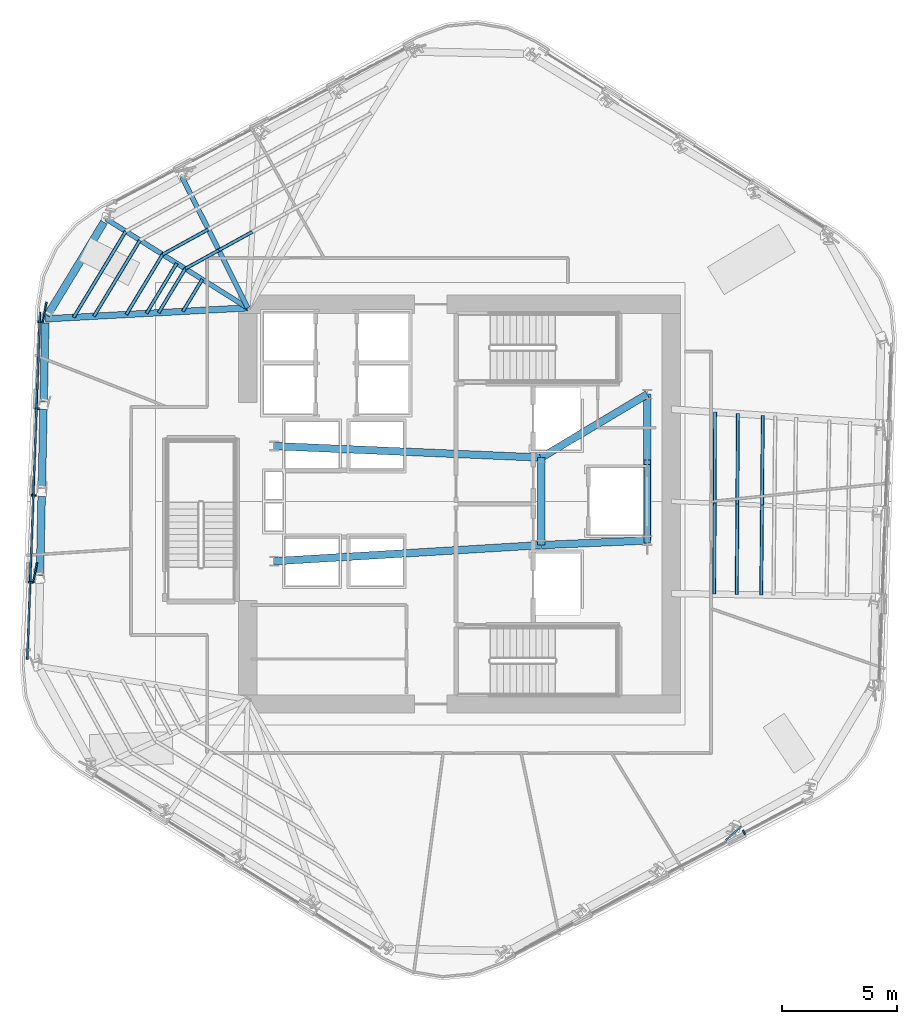
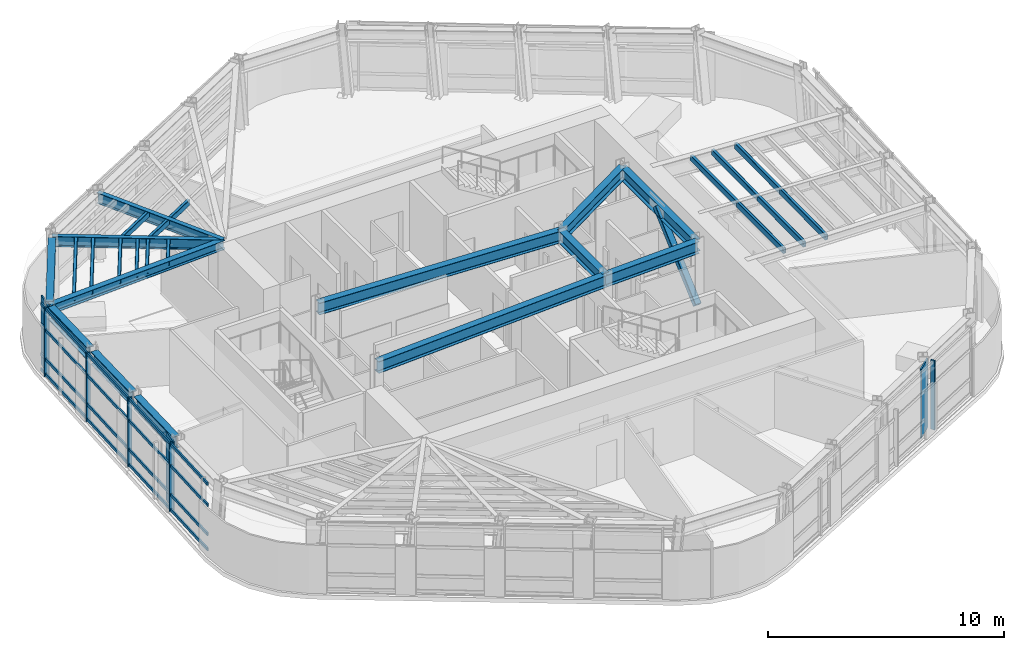
# One storey, part 3 of 14: 28 members, 13 beams, 2 elements without a shape of their own.
"""IFC4 building model written with IfcOpenShell, lengths in metres."""

import ifcopenshell
import ifcopenshell.guid

model = None  # the IFC model being written
_history = None  # IfcOwnerHistory: only IFC2X3 demands one
_inside = {}  # id of a spatial element -> (the spatial element, [elements in it])
_under = {}  # id of a project, library or spatial element -> (it, [spatial elements below it])
_declared = {}  # id of a project -> (the project, [libraries it declares])
_typed = {}  # id of a type object -> (the type object, [elements of that type])
_made_of = {}  # id of a material, layer set ... -> (it, [elements and type objects made of it])


def new_model(schema):
    """Start an empty IFC model of exactly this schema.

    Asked for "IFC4X3", IfcOpenShell would pick the latest addendum, in which some entities
    have other attributes; the version numbers below select the first issue.
    IFC2X3 requires an IfcOwnerHistory on every rooted entity: one is made here for all.
    """
    global model, _history
    if schema == "IFC4X3":
        model = ifcopenshell.file(schema_version=(4, 3, 0, 0))
    else:
        model = ifcopenshell.file(schema=schema)
    _inside.clear()
    _under.clear()
    _declared.clear()
    _typed.clear()
    _made_of.clear()
    _history = None
    if model.schema == "IFC2X3":
        org = make("IfcOrganization", Name="unknown")
        user = make(
            "IfcPersonAndOrganization",
            ThePerson=make("IfcPerson", FamilyName="unknown"),
            TheOrganization=org,
        )
        app = make(
            "IfcApplication",
            ApplicationDeveloper=org,
            Version="unknown",
            ApplicationFullName="unknown",
            ApplicationIdentifier="unknown",
        )
        _history = make(
            "IfcOwnerHistory",
            OwningUser=user,
            OwningApplication=app,
            ChangeAction="ADDED",
            CreationDate=0,
        )
    return model


def make(cls, **values):
    """One entity of the class cls with the attributes given. An attribute that is None is left unset."""
    return model.create_entity(
        cls, **{name: value for name, value in values.items() if value is not None}
    )


def rooted(cls, **values):
    """An entity with a GlobalId (a new one), such as an element, a storey or a relation."""
    return make(cls, GlobalId=ifcopenshell.guid.new(), OwnerHistory=_history, **values)


def si_unit(unit_type, name, prefix=None):
    """IfcSIUnit, for example si_unit("LENGTHUNIT", "METRE", prefix="MILLI")."""
    return make("IfcSIUnit", UnitType=unit_type, Prefix=prefix, Name=name)


def assignment(units):
    """IfcUnitAssignment: the units of a project."""
    return None if units is None else make("IfcUnitAssignment", Units=units)


def point(xyz):
    """IfcCartesianPoint."""
    return None if xyz is None else make("IfcCartesianPoint", Coordinates=xyz)


def direction(xyz):
    """IfcDirection."""
    return None if xyz is None else make("IfcDirection", DirectionRatios=xyz)


def frame(location, z_axis=None, x_axis=None):
    """IfcAxis2Placement3D, a coordinate frame: its origin and axes. An axis left out is left unset."""
    return make(
        "IfcAxis2Placement3D",
        Location=point(location),
        Axis=direction(z_axis),
        RefDirection=direction(x_axis),
    )


def frame_2d(location, x_axis=None):
    """IfcAxis2Placement2D, a coordinate frame in the plane: its origin and x axis."""
    return make(
        "IfcAxis2Placement2D", Location=point(location), RefDirection=direction(x_axis)
    )


def origin():
    """The frame at (0, 0, 0) with its axes left unset."""
    return frame((0.0, 0.0, 0.0))


def origin_2d():
    """The frame at (0, 0) in the plane with its x axis left unset."""
    return frame_2d((0.0, 0.0))


def place(relative_to, where):
    """IfcLocalPlacement: puts the frame where relative to a parent placement (None: the world)."""
    return make(
        "IfcLocalPlacement", PlacementRelTo=relative_to, RelativePlacement=where
    )


def context(
    kind, dimensions, precision=None, world=None, true_north=None, identifier=None
):
    """IfcGeometricRepresentationContext, for example the 3D "Model" context."""
    return make(
        "IfcGeometricRepresentationContext",
        ContextIdentifier=identifier,
        ContextType=kind,
        CoordinateSpaceDimension=dimensions,
        Precision=precision,
        WorldCoordinateSystem=world,
        TrueNorth=true_north,
    )


def subcontext(parent, identifier, kind, view, scale=None):
    """IfcGeometricRepresentationSubContext, for example "Body" below "Model"."""
    return make(
        "IfcGeometricRepresentationSubContext",
        ContextIdentifier=identifier,
        ContextType=kind,
        ParentContext=parent,
        TargetScale=scale,
        TargetView=view,
    )


def project(units=None, contexts=None):
    """IfcProject with its units and contexts."""
    return rooted(
        "IfcProject",
        Name="project",
        RepresentationContexts=contexts,
        UnitsInContext=assignment(units),
    )


def spatial(cls, under=None, at=None, **own):
    """A site, building, storey or space (cls), placed at a placement, below another one or the project."""
    s = rooted(cls, ObjectPlacement=at, **own)
    if under is not None:
        _under.setdefault(under.id(), (under, []))[1].append(s)
    return s


def profile(cls, at=None, kind="AREA", **sizes):
    """A parametric profile (cls). Its sizes go by their IFC names, for example OverallWidth=200.0."""
    return make(cls, ProfileType=kind, Position=at, **sizes)


def rectangle(**sizes):
    """IfcRectangleProfileDef."""
    return profile("IfcRectangleProfileDef", **sizes)


def hollow_rectangle(**sizes):
    """IfcRectangleHollowProfileDef."""
    return profile("IfcRectangleHollowProfileDef", **sizes)


def i_section(**sizes):
    """IfcIShapeProfileDef."""
    return profile("IfcIShapeProfileDef", **sizes)


def extrude(swept, where, along, depth):
    """IfcExtrudedAreaSolid: the profile swept, set in the frame where, extruded along a direction by depth."""
    return make(
        "IfcExtrudedAreaSolid",
        SweptArea=swept,
        Position=where,
        ExtrudedDirection=direction(along),
        Depth=depth,
    )


def shape(context_of_items, identifier, shape_type, items):
    """IfcShapeRepresentation: the items that make up one representation, for example the "Body"."""
    return make(
        "IfcShapeRepresentation",
        ContextOfItems=context_of_items,
        RepresentationIdentifier=identifier,
        RepresentationType=shape_type,
        Items=items,
    )


def material(Name=None, Category=None):
    """IfcMaterial."""
    return make("IfcMaterial", Name=Name, Category=Category)


def layer(
    of_material, thickness, ventilated=None, Name=None, Category=None, Priority=None
):
    """IfcMaterialLayer: one layer of a wall or slab, of a material (None: an air gap)."""
    return make(
        "IfcMaterialLayer",
        Material=of_material,
        LayerThickness=thickness,
        IsVentilated=ventilated,
        Name=Name,
        Category=Category,
        Priority=Priority,
    )


def layer_set(layers, Name=None):
    """IfcMaterialLayerSet."""
    return make("IfcMaterialLayerSet", MaterialLayers=layers, LayerSetName=Name)


def material_profile(
    of_material, cross_section, Name=None, Category=None, Priority=None
):
    """IfcMaterialProfile: a cross section and its material."""
    return make(
        "IfcMaterialProfile",
        Name=Name,
        Material=of_material,
        Profile=cross_section,
        Priority=Priority,
        Category=Category,
    )


def profile_set(profiles, Name=None, composite=None):
    """IfcMaterialProfileSet."""
    return make(
        "IfcMaterialProfileSet",
        Name=Name,
        MaterialProfiles=profiles,
        CompositeProfile=composite,
    )


def made_of(thing, what):
    """Note that an element or type object is made of a material, layer set ...; save() writes the relation."""
    if what is not None:
        _made_of.setdefault(what.id(), (what, []))[1].append(thing)
    return thing


def type_object(cls, material=None, **own):
    """A type object (cls), such as IfcWallType, which elements share."""
    return made_of(rooted(cls, **own), material)


def element(
    cls,
    number,
    at=None,
    inside=None,
    cuts=None,
    type_object=None,
    material=None,
    context=None,
    identifier="Body",
    shape_type=None,
    held_by="IfcProductDefinitionShape",
    body=None,
    shapes=None,
    **own,
):
    """One element of the class cls, such as IfcWall. Its Tag is "e" and its number.

    at: its placement. inside: the storey or other place that contains it. cuts: it is an
    opening in that element (IfcRelVoidsElement). A single representation is given by context,
    identifier, shape_type and body (its items); several are given by shapes. held_by: the class
    of the entity that holds the representations. save() writes the other relations.
    """
    e = rooted(cls, Tag="e%d" % number, ObjectPlacement=at, **own)
    if body is not None:
        shapes = [shape(context, identifier, shape_type, body)]
    if shapes is not None:
        e.Representation = make(held_by, Representations=shapes)
    if inside is not None:
        _inside.setdefault(inside.id(), (inside, []))[1].append(e)
    if cuts is not None:
        rooted(
            "IfcRelVoidsElement", RelatingBuildingElement=cuts, RelatedOpeningElement=e
        )
    if type_object is not None:
        _typed.setdefault(type_object.id(), (type_object, []))[1].append(e)
    return made_of(e, material)


def aggregate(whole, parts):
    """IfcRelAggregates: a whole, such as a stair, and the parts it consists of."""
    return rooted("IfcRelAggregates", RelatingObject=whole, RelatedObjects=parts)


def save(model, path):
    """Write the relations noted so far, then the file.

    IfcRelAggregates (storeys below a building ...), IfcRelContainedInSpatialStructure (elements
    in a storey), IfcRelDefinesByType, IfcRelAssociatesMaterial and IfcRelDeclares: one each for
    every whole, place, type object, material and project.
    """
    for whole, parts in _under.values():
        aggregate(whole, parts)
    for where, things in _inside.values():
        rooted(
            "IfcRelContainedInSpatialStructure",
            RelatedElements=things,
            RelatingStructure=where,
        )
    for kind, things in _typed.values():
        rooted("IfcRelDefinesByType", RelatedObjects=things, RelatingType=kind)
    for what, things in _made_of.values():
        rooted("IfcRelAssociatesMaterial", RelatedObjects=things, RelatingMaterial=what)
    for by, libraries in _declared.values():
        rooted("IfcRelDeclares", RelatingContext=by, RelatedDefinitions=libraries)
    model.write(path)


model = new_model("IFC4")

# Units and contexts
model_context = context("Model", 3, precision=1e-05, world=origin(), true_north=direction((0.0, 1.0)))
body_context = subcontext(model_context, "Body", "Model", "MODEL_VIEW")
ifc_project = project(units=[si_unit("LENGTHUNIT", "METRE"), si_unit("AREAUNIT", "SQUARE_METRE"), si_unit("VOLUMEUNIT", "CUBIC_METRE"), si_unit("PLANEANGLEUNIT", "RADIAN"), si_unit("MASSUNIT", "GRAM", prefix="KILO")], contexts=[model_context])

# Site, building, storey
site_placement = place(None, origin())
site = spatial("IfcSite", under=ifc_project, at=site_placement, CompositionType="ELEMENT")
building_placement = place(site_placement, origin())
building = spatial("IfcBuilding", under=site, at=building_placement, Name="Valkerne Bourse Tower", CompositionType="ELEMENT")
storey_placement = place(building_placement, frame((0.0, 0.0, 143.800048828125)))
storey = spatial("IfcBuildingStorey", under=building, at=storey_placement, Name="L36", CompositionType="ELEMENT", Elevation=143.800048828125)

# Beams
ifc_material_1 = material(Name="Steel ASTM A992", Category="steel")
ifc_material_profile_1 = material_profile(ifc_material_1, i_section(OverallWidth=0.279296875, OverallDepth=0.46240234375, WebThickness=0.0107421875, FlangeThickness=0.017333984375, FilletRadius=0.017822265625, at=origin_2d()), Name="W18X76")
ifc_profile_set_1 = profile_set([ifc_material_profile_1], Name="Steel ASTM A992")
beam_type_1 = type_object("IfcBeamType", Name="BM-W18X76", PredefinedType="BEAM", material=ifc_profile_set_1)
beam_1_placement = place(storey_placement, frame((28.818603515625, 34.92041015625, 3.3486328125), z_axis=(0.998512604544, 0.054521358818, 0.0), x_axis=(-0.054521358818, 0.998512604544, 0.0)))
element("IfcBeam", 1, at=beam_1_placement, inside=storey, type_object=beam_type_1, Name="L36 Radial Composite Floor Beam 10", PredefinedType="BEAM", context=body_context, shape_type="SweptSolid", body=[
    extrude(i_section(OverallWidth=0.279296875, OverallDepth=0.46240234375, WebThickness=0.0107421875, FlangeThickness=0.017333984375, FilletRadius=0.017822265625, at=origin_2d()), origin(), (0.0, 0.0, 1.0), 8.794677734375),
])
ifc_material_profile_2 = material_profile(ifc_material_1, i_section(OverallWidth=0.209228515625, OverallDepth=0.533447265625, WebThickness=0.01025390625, FlangeThickness=0.015625, FilletRadius=0.017822265625, at=origin_2d()), Name="W21X62")
ifc_profile_set_2 = profile_set([ifc_material_profile_2], Name="Steel ASTM A992")
beam_type_2 = type_object("IfcBeamType", Name="BM-W21X62", PredefinedType="JOIST", material=ifc_profile_set_2)
beam_2_placement = place(storey_placement, frame((31.4501953125, 39.265625, 3.313232421875), z_axis=(0.846632222578, -0.532178428436, 0.0), x_axis=(0.532178428436, 0.846632222578, 0.0)))
element("IfcBeam", 2, at=beam_2_placement, inside=storey, type_object=beam_type_2, Name="L36 Radial Composite Floor Beam 09", PredefinedType="JOIST", context=body_context, shape_type="SweptSolid", body=[
    extrude(i_section(OverallWidth=0.209228515625, OverallDepth=0.533447265625, WebThickness=0.01025390625, FlangeThickness=0.015625, FilletRadius=0.017822265625, at=origin_2d()), origin(), (0.0, 0.0, 1.0), 7.263916015625),
])
ifc_material_profile_3 = material_profile(ifc_material_1, i_section(OverallWidth=0.2138671875, OverallDepth=0.548583984375, WebThickness=0.0146484375, FlangeThickness=0.023681640625, FilletRadius=0.017822265625, at=origin_2d()), Name="W21X93")
ifc_profile_set_3 = profile_set([ifc_material_profile_3], Name="Steel ASTM A992")
beam_type_3 = type_object("IfcBeamType", Name="BM-W21X93", PredefinedType="BEAM", material=ifc_profile_set_3)
beam_3_placement = place(storey_placement, frame((34.7548828125, 41.082275390625, 3.3056640625), z_axis=(0.447720638124, -0.894173489989, 0.0), x_axis=(0.894173489989, 0.447720638124, 0.0)))
element("IfcBeam", 3, at=beam_3_placement, inside=storey, type_object=beam_type_3, Name="L36 Radial Composite Floor Beam 08", PredefinedType="BEAM", context=body_context, shape_type="SweptSolid", body=[
    extrude(i_section(OverallWidth=0.2138671875, OverallDepth=0.548583984375, WebThickness=0.0146484375, FlangeThickness=0.023681640625, FilletRadius=0.017822265625, at=origin_2d()), origin(), (0.0, 0.0, 1.0), 6.35498046875),
])
ifc_material_profile_4 = material_profile(ifc_material_1, i_section(OverallWidth=0.3251953125, OverallDepth=0.612060546875, WebThickness=0.0126953125, FlangeThickness=0.01904296875, FilletRadius=0.020263671875, at=origin_2d()), Name="W24X104")
ifc_profile_set_4 = profile_set([ifc_material_profile_4], Name="Steel ASTM A992")
beam_type_4 = type_object("IfcBeamType", Name="BM-W24X104", PredefinedType="BEAM", material=ifc_profile_set_4)
beam_4_placement = place(storey_placement, frame((50.35009765625, 25.10009765625, 3.27392578125), z_axis=(0.0, 1.0, 0.0), x_axis=(-1.0, 0.0, 0.0)))
element("IfcBeam", 4, at=beam_4_placement, inside=storey, type_object=beam_type_4, Name="L36 Core Frame Girder CG-CE", PredefinedType="BEAM", context=body_context, shape_type="SweptSolid", body=[
    extrude(i_section(OverallWidth=0.3251953125, OverallDepth=0.612060546875, WebThickness=0.0126953125, FlangeThickness=0.01904296875, FilletRadius=0.020263671875, at=origin_2d()), origin(), (0.0, 0.0, 1.0), 3.7998046875),
])
beam_5_placement = place(storey_placement, frame((50.35009765625, 25.10009765625, 3.27392578125), z_axis=(0.999056558506, 0.043428019819, 0.0), x_axis=(-0.043428019819, 0.999056558506, 0.0)))
element("IfcBeam", 5, at=beam_5_placement, inside=storey, type_object=beam_type_4, Name="L36 Core Frame Girder CG-SE", PredefinedType="BEAM", context=body_context, shape_type="SweptSolid", body=[
    extrude(i_section(OverallWidth=0.3251953125, OverallDepth=0.612060546875, WebThickness=0.0126953125, FlangeThickness=0.01904296875, FilletRadius=0.020263671875, at=origin_2d()), origin(), (0.0, 0.0, 1.0), 4.604248046875),
])
beam_6_placement = place(storey_placement, frame((50.35009765625, 28.89990234375, 3.27392578125), z_axis=(0.858307823492, 0.513135148019, 0.0), x_axis=(-0.513135148019, 0.858307823492, 0.0)))
element("IfcBeam", 6, at=beam_6_placement, inside=storey, type_object=beam_type_4, Name="L36 Core Frame Girder CG-NE", PredefinedType="BEAM", context=body_context, shape_type="SweptSolid", body=[
    extrude(i_section(OverallWidth=0.3251953125, OverallDepth=0.612060546875, WebThickness=0.0126953125, FlangeThickness=0.01904296875, FilletRadius=0.020263671875, at=origin_2d()), origin(), (0.0, 0.0, 1.0), 5.359130859375),
])
beam_7_placement = place(storey_placement, frame((54.949951171875, 25.300048828125, 3.27392578125), z_axis=(0.0, 1.0, 0.0), x_axis=(-1.0, 0.0, 0.0)))
element("IfcBeam", 7, at=beam_7_placement, inside=storey, type_object=beam_type_4, Name="L36 Core Frame Girder CG-EE", PredefinedType="BEAM", context=body_context, shape_type="SweptSolid", body=[
    extrude(i_section(OverallWidth=0.3251953125, OverallDepth=0.612060546875, WebThickness=0.0126953125, FlangeThickness=0.01904296875, FilletRadius=0.020263671875, at=origin_2d()), origin(), (0.0, 0.0, 1.0), 6.349853515625),
])
beam_8_placement = place(storey_placement, frame((38.75, 24.39990234375, 3.27392578125), z_axis=(0.998183228389, 0.060251494276, 0.0), x_axis=(-0.060251494276, 0.998183228389, 0.0)))
element("IfcBeam", 8, at=beam_8_placement, inside=storey, type_object=beam_type_4, Name="L36 Core Frame Girder CG-SW", PredefinedType="BEAM", context=body_context, shape_type="SweptSolid", body=[
    extrude(i_section(OverallWidth=0.3251953125, OverallDepth=0.612060546875, WebThickness=0.0126953125, FlangeThickness=0.01904296875, FilletRadius=0.020263671875, at=origin_2d()), origin(), (0.0, 0.0, 1.0), 11.62109375),
])
beam_9_placement = place(storey_placement, frame((38.75, 29.39990234375, 3.27392578125), z_axis=(0.999072354402, -0.043063101019, 0.0), x_axis=(0.043063101019, 0.999072354402, 0.0)))
element("IfcBeam", 9, at=beam_9_placement, inside=storey, type_object=beam_type_4, Name="L36 Core Frame Girder CG-NW", PredefinedType="BEAM", context=body_context, shape_type="SweptSolid", body=[
    extrude(i_section(OverallWidth=0.3251953125, OverallDepth=0.612060546875, WebThickness=0.0126953125, FlangeThickness=0.01904296875, FilletRadius=0.020263671875, at=origin_2d()), origin(), (0.0, 0.0, 1.0), 11.61083984375),
])
ifc_material_profile_5 = material_profile(ifc_material_1, i_section(OverallWidth=0.330078125, OverallDepth=0.647705078125, WebThickness=0.0205078125, FlangeThickness=0.037109375, FilletRadius=0.020263671875, at=origin_2d()), Name="W24X192")
ifc_profile_set_5 = profile_set([ifc_material_profile_5], Name="Steel ASTM A992")
beam_type_5 = type_object("IfcBeamType", Name="BM-W24X192", PredefinedType="SPANDREL", material=ifc_profile_set_5)
beam_10_placement = place(storey_placement, frame((31.3623046875, 39.1201171875, 3.256103515625), z_axis=(-0.518043714637, -0.85535414287, 0.0), x_axis=(0.85535414287, -0.518043714637, 0.0)))
element("IfcBeam", 10, at=beam_10_placement, inside=storey, type_object=beam_type_5, Name="L36 Hexagonal Spandrel Ring Beam 09", PredefinedType="SPANDREL", context=body_context, shape_type="SweptSolid", body=[
    extrude(i_section(OverallWidth=0.330078125, OverallDepth=0.647705078125, WebThickness=0.0205078125, FlangeThickness=0.037109375, FilletRadius=0.020263671875, at=origin_2d()), origin(), (0.0, 0.0, 1.0), 4.739990234375),
])
beam_11_placement = place(storey_placement, frame((28.815185546875, 34.750244140625, 3.256103515625), z_axis=(-0.020920687168, -0.999781138474, 0.0), x_axis=(0.999781138474, -0.020920687168, 0.0)))
element("IfcBeam", 11, at=beam_11_placement, inside=storey, type_object=beam_type_5, Name="L36 Hexagonal Spandrel Ring Beam 10", PredefinedType="SPANDREL", context=body_context, shape_type="SweptSolid", body=[
    extrude(i_section(OverallWidth=0.330078125, OverallDepth=0.647705078125, WebThickness=0.0205078125, FlangeThickness=0.037109375, FilletRadius=0.020263671875, at=origin_2d()), origin(), (0.0, 0.0, 1.0), 3.430908203125),
])
beam_12_placement = place(storey_placement, frame((28.736083984375, 30.97998046875, 3.256103515625), z_axis=(-0.020922175639, -0.999781107326, 0.0), x_axis=(0.999781107326, -0.020922175639, 0.0)))
element("IfcBeam", 12, at=beam_12_placement, inside=storey, type_object=beam_type_5, Name="L36 Hexagonal Spandrel Ring Beam 11", PredefinedType="SPANDREL", context=body_context, shape_type="SweptSolid", body=[
    extrude(i_section(OverallWidth=0.330078125, OverallDepth=0.647705078125, WebThickness=0.0205078125, FlangeThickness=0.037109375, FilletRadius=0.020263671875, at=origin_2d()), origin(), (0.0, 0.0, 1.0), 3.4306640625),
])
beam_13_placement = place(storey_placement, frame((28.656982421875, 27.2099609375, 3.256103515625), z_axis=(-0.020849559354, -0.999782624311, 0.0), x_axis=(0.999782624311, -0.020849559354, 0.0)))
element("IfcBeam", 13, at=beam_13_placement, inside=storey, type_object=beam_type_5, Name="L36 Hexagonal Spandrel Ring Beam 12", PredefinedType="SPANDREL", context=body_context, shape_type="SweptSolid", body=[
    extrude(i_section(OverallWidth=0.330078125, OverallDepth=0.647705078125, WebThickness=0.0205078125, FlangeThickness=0.037109375, FilletRadius=0.020263671875, at=origin_2d()), origin(), (0.0, 0.0, 1.0), 3.430908203125),
])

# Curtain wall, members
ifc_material_2 = material(Name="Aluminium AA 6063-T6", Category="aluminium")
ifc_layer = layer(ifc_material_2, 0.235107421875)
ifc_layer_set = layer_set([ifc_layer], Name="Aluminium AA 6063-T6")
curtain_wall_type = type_object("IfcCurtainWallType", Name="CW-03", PredefinedType="NOTDEFINED", material=ifc_layer_set)
curtain_wall_1_placement = place(storey_placement, origin())
curtain_wall_1 = element("IfcCurtainWall", 14, at=curtain_wall_1_placement, inside=storey, type_object=curtain_wall_type, Name="L36 Hexagonal Stick Curtain Wall Face 3", PredefinedType="NOTDEFINED")
ifc_material_profile_6 = material_profile(ifc_material_2, rectangle(XDim=0.074951171875, YDim=0.199951171875, at=origin_2d()), Name="CWM-75X200")
ifc_profile_set_6 = profile_set([ifc_material_profile_6], Name="Aluminium AA 6063-T6")
member_type_1 = type_object("IfcMemberType", Name="CW-MUL-220X75", PredefinedType="MULLION", material=ifc_profile_set_6)
member_1_placement = place(storey_placement, frame((28.590087890625, 34.79443359375, 0.0), z_axis=(0.0, 0.0, 1.0), x_axis=(-0.036647781173, -0.99932824444, 0.0)))
member_1 = element("IfcMember", 15, at=member_1_placement, type_object=member_type_1, Name="CW-L36-F3 Jamb Mullion 00A", PredefinedType="MULLION", context=body_context, shape_type="SweptSolid", body=[
    extrude(rectangle(XDim=0.074951171875, YDim=0.199951171875, at=origin_2d()), origin(), (0.0, 0.0, 1.0), 3.579833984375),
])
member_2_placement = place(storey_placement, frame((28.451904296875, 31.02587890625, 0.0), z_axis=(0.0, 0.0, 1.0), x_axis=(-0.036621298825, -0.99932921526, 0.0)))
member_2 = element("IfcMember", 16, at=member_2_placement, type_object=member_type_1, Name="CW-L36-F3 Jamb Mullion 01A", PredefinedType="MULLION", context=body_context, shape_type="SweptSolid", body=[
    extrude(rectangle(XDim=0.074951171875, YDim=0.199951171875, at=origin_2d()), origin(), (0.0, 0.0, 1.0), 3.579833984375),
])
member_3_placement = place(storey_placement, frame((28.313720703125, 27.257568359375, 0.0), z_axis=(0.0, 0.0, 1.0), x_axis=(-0.036648752372, -0.999328208823, 0.0)))
member_3 = element("IfcMember", 17, at=member_3_placement, type_object=member_type_1, Name="CW-L36-F3 Jamb Mullion 02A", PredefinedType="MULLION", context=body_context, shape_type="SweptSolid", body=[
    extrude(rectangle(XDim=0.074951171875, YDim=0.199951171875, at=origin_2d()), origin(), (0.0, 0.0, 1.0), 3.579833984375),
])
member_4_placement = place(storey_placement, frame((28.175537109375, 23.489013671875, 0.0), z_axis=(0.0, 0.0, 1.0), x_axis=(-0.036647781173, -0.99932824444, 0.0)))
member_4 = element("IfcMember", 18, at=member_4_placement, type_object=member_type_1, Name="CW-L36-F3 Jamb Mullion 03A", PredefinedType="MULLION", context=body_context, shape_type="SweptSolid", body=[
    extrude(rectangle(XDim=0.074951171875, YDim=0.199951171875, at=origin_2d()), origin(), (0.0, 0.0, 1.0), 3.579833984375),
])

# Curtain wall, member
curtain_wall_2_placement = place(storey_placement, origin())
curtain_wall_2 = element("IfcCurtainWall", 19, at=curtain_wall_2_placement, inside=storey, type_object=curtain_wall_type, Name="L36 Hexagonal Stick Curtain Wall Face 5", PredefinedType="NOTDEFINED")
member_5_placement = place(storey_placement, frame((59.152587890625, 12.626220703125, 0.0), z_axis=(0.0, 0.0, 1.0), x_axis=(0.883762758878, 0.467935236993, 0.0)))
member_5 = element("IfcMember", 20, at=member_5_placement, type_object=member_type_1, Name="CW-L36-F5 Jamb Mullion 03A", PredefinedType="MULLION", context=body_context, shape_type="SweptSolid", body=[
    extrude(rectangle(XDim=0.074951171875, YDim=0.199951171875, at=origin_2d()), origin(), (0.0, 0.0, 1.0), 3.579833984375),
])
aggregate(curtain_wall_2, [member_5])

# Member
ifc_material_profile_7 = material_profile(ifc_material_2, rectangle(XDim=0.074951171875, YDim=0.14990234375, at=origin_2d()), Name="CWT-75X150")
ifc_profile_set_7 = profile_set([ifc_material_profile_7], Name="Aluminium AA 6063-T6")
member_type_2 = type_object("IfcMemberType", Name="CW-TRN-180X65", PredefinedType="USERDEFINED", material=ifc_profile_set_7)
member_6_placement = place(storey_placement, frame((28.58544921875, 35.215087890625, 0.119873046875), z_axis=(-0.036643498065, -0.999328401503, 0.0), x_axis=(0.999328401503, -0.036643498065, 0.0)))
member_6 = element("IfcMember", 21, at=member_6_placement, type_object=member_type_2, Name="CW-L36-F3 Continuous Face Transom 1", ObjectType="TRANSOM", PredefinedType="USERDEFINED", context=body_context, shape_type="SweptSolid", body=[
    extrude(rectangle(XDim=0.074951171875, YDim=0.14990234375, at=origin_2d()), origin(), (0.0, 0.0, 1.0), 15.083984375),
])

member_7_placement = place(storey_placement, frame((28.58544921875, 35.215087890625, 0.89990234375), z_axis=(-0.036643498065, -0.999328401503, 0.0), x_axis=(0.999328401503, -0.036643498065, 0.0)))
member_7 = element("IfcMember", 22, at=member_7_placement, type_object=member_type_2, Name="CW-L36-F3 Continuous Face Transom 2", ObjectType="TRANSOM", PredefinedType="USERDEFINED", context=body_context, shape_type="SweptSolid", body=[
    extrude(rectangle(XDim=0.074951171875, YDim=0.14990234375, at=origin_2d()), origin(), (0.0, 0.0, 1.0), 15.083984375),
])

member_8_placement = place(storey_placement, frame((28.58544921875, 35.215087890625, 2.39990234375), z_axis=(-0.036643498065, -0.999328401503, 0.0), x_axis=(0.999328401503, -0.036643498065, 0.0)))
member_8 = element("IfcMember", 23, at=member_8_placement, type_object=member_type_2, Name="CW-L36-F3 Continuous Face Transom 3", ObjectType="TRANSOM", PredefinedType="USERDEFINED", context=body_context, shape_type="SweptSolid", body=[
    extrude(rectangle(XDim=0.074951171875, YDim=0.14990234375, at=origin_2d()), origin(), (0.0, 0.0, 1.0), 15.083984375),
])

member_9_placement = place(storey_placement, frame((28.58544921875, 35.215087890625, 3.5), z_axis=(-0.036643498065, -0.999328401503, 0.0), x_axis=(0.999328401503, -0.036643498065, 0.0)))
member_9 = element("IfcMember", 24, at=member_9_placement, type_object=member_type_2, Name="CW-L36-F3 Continuous Face Transom 4", ObjectType="TRANSOM", PredefinedType="USERDEFINED", context=body_context, shape_type="SweptSolid", body=[
    extrude(rectangle(XDim=0.074951171875, YDim=0.14990234375, at=origin_2d()), origin(), (0.0, 0.0, 1.0), 15.083984375),
])

aggregate(curtain_wall_1, [member_6, member_7, member_8, member_9, member_1, member_2, member_3, member_4])

# Members
ifc_material_3 = material(Name="Bronze Anodised Aluminium AA 6063-T6", Category="aluminium")
ifc_material_profile_8 = material_profile(ifc_material_3, rectangle(XDim=0.070068359375, YDim=0.89990234375, at=origin_2d()), Name="FIN-70X900")
ifc_profile_set_8 = profile_set([ifc_material_profile_8], Name="Bronze Anodised Aluminium AA 6063-T6")
member_type_3 = type_object("IfcMemberType", Name="FIN-SOLAR-900", PredefinedType="USERDEFINED", material=ifc_profile_set_8)
for number, where, z_axis, x_axis, name in (
    (25, (28.785400390625, 35.207763671875, 0.00390625), (0.0, 0.0, 1.0), (-0.982486903048, 0.186331654151, 0.0), "L36 Bronze Anodised Solar Fin F3-00"),
    (26, (28.370849609375, 23.90234375, 0.00390625), (0.0, 0.0, 1.0), (-0.982486903048, 0.186331654151, 0.0), "L36 Bronze Anodised Solar Fin F3-03"),
    (27, (58.697265625, 12.5888671875, 0.00390625), (0.0, 0.0, 1.0), (0.666020914066, -0.745933068061, 0.0), "L36 Bronze Anodised Solar Fin F5-03"),
):
    element("IfcMember", number, at=place(storey_placement, frame(where, z_axis=z_axis, x_axis=x_axis)), inside=storey, type_object=member_type_3, Name=name, ObjectType="SOLAR_FIN", PredefinedType="USERDEFINED", context=body_context, shape_type="SweptSolid", body=[
        extrude(rectangle(XDim=0.070068359375, YDim=0.89990234375, at=origin_2d()), origin(), (0.0, 0.0, 1.0), 3.572021484375),
    ])
ifc_material_4 = material(Name="Steel ASTM A500 Grade C", Category="steel")
ifc_material_profile_9 = material_profile(ifc_material_4, hollow_rectangle(XDim=0.14990234375, YDim=0.300048828125, WallThickness=0.012451171875, OuterFilletRadius=0.02490234375, at=origin_2d()), Name="HSS300X150X12.5")
ifc_profile_set_9 = profile_set([ifc_material_profile_9], Name="Steel ASTM A500 Grade C")
member_type_4 = type_object("IfcMemberType", Name="MBR-HSS300X150X12.5", PredefinedType="PURLIN", material=ifc_profile_set_9)
member_10_placement = place(storey_placement, frame((35.632080078125, 36.636962890625, 3.419921875), z_axis=(-0.518025405386, -0.855365231567, 0.0), x_axis=(0.855365231567, -0.518025405386, 0.0)))
element("IfcMember", 28, at=member_10_placement, inside=storey, type_object=member_type_4, Name="L36 Secondary Composite Floor Purlin I-09", PredefinedType="PURLIN", context=body_context, shape_type="SweptSolid", body=[
    extrude(hollow_rectangle(XDim=0.14990234375, YDim=0.300048828125, WallThickness=0.012451171875, OuterFilletRadius=0.02490234375, at=origin_2d()), origin(), (0.0, 0.0, 1.0), 1.62548828125),
])
for number, where, z_axis, x_axis, name in (
    (29, (58.835205078125, 22.951904296875, 3.419921875), (0.00646632007, 0.999979093134, 0.0), (-0.999979093134, 0.00646632007, 0.0), "L36 Secondary Composite Floor Purlin I-26"),
    (30, (58.860595703125, 26.87841796875, 3.419921875), (0.006404146478, 0.999979493244, 0.0), (-0.999979493244, 0.006404146478, 0.0), "L36 Secondary Composite Floor Purlin I-27"),
):
    element("IfcMember", number, at=place(storey_placement, frame(where, z_axis=z_axis, x_axis=x_axis)), inside=storey, type_object=member_type_4, Name=name, PredefinedType="PURLIN", context=body_context, shape_type="SweptSolid", body=[
        extrude(hollow_rectangle(XDim=0.14990234375, YDim=0.300048828125, WallThickness=0.012451171875, OuterFilletRadius=0.02490234375, at=origin_2d()), origin(), (0.0, 0.0, 1.0), 3.926513671875),
    ])
member_11_placement = place(storey_placement, frame((37.802001953125, 38.69970703125, 3.419921875), z_axis=(-0.876231441461, -0.481890507269, 0.0), x_axis=(0.481890507269, -0.876231441461, 0.0)))
element("IfcMember", 31, at=member_11_placement, inside=storey, type_object=member_type_4, Name="L36 Secondary Composite Floor Purlin K-07", PredefinedType="PURLIN", context=body_context, shape_type="SweptSolid", body=[
    extrude(hollow_rectangle(XDim=0.14990234375, YDim=0.300048828125, WallThickness=0.012451171875, OuterFilletRadius=0.02490234375, at=origin_2d()), origin(), (0.0, 0.0, 1.0), 1.6591796875),
])
member_12_placement = place(storey_placement, frame((36.34814453125, 37.900146484375, 3.419921875), z_axis=(-0.876327717916, -0.481715404375, 0.0), x_axis=(0.481715404375, -0.876327717916, 0.0)))
element("IfcMember", 32, at=member_12_placement, inside=storey, type_object=member_type_4, Name="L36 Secondary Composite Floor Purlin K-08", PredefinedType="PURLIN", context=body_context, shape_type="SweptSolid", body=[
    extrude(hollow_rectangle(XDim=0.14990234375, YDim=0.300048828125, WallThickness=0.012451171875, OuterFilletRadius=0.02490234375, at=origin_2d()), origin(), (0.0, 0.0, 1.0), 1.659423828125),
])
member_13_placement = place(storey_placement, frame((34.89404296875, 37.100830078125, 3.419921875), z_axis=(-0.5180572026, -0.855345973764, 0.0), x_axis=(0.855345973764, -0.5180572026, 0.0)))
element("IfcMember", 33, at=member_13_placement, inside=storey, type_object=member_type_4, Name="L36 Secondary Composite Floor Purlin K-09", PredefinedType="PURLIN", context=body_context, shape_type="SweptSolid", body=[
    extrude(hollow_rectangle(XDim=0.14990234375, YDim=0.300048828125, WallThickness=0.012451171875, OuterFilletRadius=0.02490234375, at=origin_2d()), origin(), (0.0, 0.0, 1.0), 2.235107421875),
])
member_14_placement = place(storey_placement, frame((59.8984375, 22.93408203125, 3.419921875), z_axis=(0.008954491002, 0.999959907742, 0.0), x_axis=(-0.999959907742, 0.008954491002, 0.0)))
element("IfcMember", 34, at=member_14_placement, inside=storey, type_object=member_type_4, Name="L36 Secondary Composite Floor Purlin K-26", PredefinedType="PURLIN", context=body_context, shape_type="SweptSolid", body=[
    extrude(hollow_rectangle(XDim=0.14990234375, YDim=0.300048828125, WallThickness=0.012451171875, OuterFilletRadius=0.02490234375, at=origin_2d()), origin(), (0.0, 0.0, 1.0), 3.89892578125),
])
member_15_placement = place(storey_placement, frame((59.933349609375, 26.832763671875, 3.419921875), z_axis=(0.00889132041, 0.999960471429, 0.0), x_axis=(-0.999960471429, 0.00889132041, 0.0)))
element("IfcMember", 35, at=member_15_placement, inside=storey, type_object=member_type_4, Name="L36 Secondary Composite Floor Purlin K-27", PredefinedType="PURLIN", context=body_context, shape_type="SweptSolid", body=[
    extrude(hollow_rectangle(XDim=0.14990234375, YDim=0.300048828125, WallThickness=0.012451171875, OuterFilletRadius=0.02490234375, at=origin_2d()), origin(), (0.0, 0.0, 1.0), 3.899169921875),
])
member_16_placement = place(storey_placement, frame((34.525146484375, 37.332763671875, 3.419921875), z_axis=(-0.517997052009, -0.855382402268, 0.0), x_axis=(0.855382402268, -0.517997052009, 0.0)))
element("IfcMember", 36, at=member_16_placement, inside=storey, type_object=member_type_4, Name="L36 Secondary Composite Floor Purlin M-09", PredefinedType="PURLIN", context=body_context, shape_type="SweptSolid", body=[
    extrude(hollow_rectangle(XDim=0.14990234375, YDim=0.300048828125, WallThickness=0.012451171875, OuterFilletRadius=0.02490234375, at=origin_2d()), origin(), (0.0, 0.0, 1.0), 2.5400390625),
])
member_17_placement = place(storey_placement, frame((32.92626953125, 38.337890625, 3.419921875), z_axis=(-0.518015794825, -0.855371051832, 0.0), x_axis=(0.855371051832, -0.518015794825, 0.0)))
element("IfcMember", 37, at=member_17_placement, inside=storey, type_object=member_type_4, Name="L36 Secondary Composite Floor Purlin O-09", PredefinedType="PURLIN", context=body_context, shape_type="SweptSolid", body=[
    extrude(hollow_rectangle(XDim=0.14990234375, YDim=0.300048828125, WallThickness=0.012451171875, OuterFilletRadius=0.02490234375, at=origin_2d()), origin(), (0.0, 0.0, 1.0), 3.86083984375),
])
member_18_placement = place(storey_placement, frame((35.892822265625, 38.809326171875, 3.419921875), z_axis=(-0.876332077378, -0.481707473638, 0.0), x_axis=(0.481707473638, -0.876332077378, 0.0)))
element("IfcMember", 38, at=member_18_placement, inside=storey, type_object=member_type_4, Name="L36 Secondary Composite Floor Purlin Z-08", PredefinedType="PURLIN", context=body_context, shape_type="SweptSolid", body=[
    extrude(hollow_rectangle(XDim=0.14990234375, YDim=0.300048828125, WallThickness=0.012451171875, OuterFilletRadius=0.02490234375, at=origin_2d()), origin(), (0.0, 0.0, 1.0), 2.262451171875),
])
member_19_placement = place(storey_placement, frame((33.91015625, 37.719482421875, 3.419921875), z_axis=(-0.518001675224, -0.855379602554, 0.0), x_axis=(0.855379602554, -0.518001675224, 0.0)))
element("IfcMember", 39, at=member_19_placement, inside=storey, type_object=member_type_4, Name="L36 Secondary Composite Floor Purlin Z-09", PredefinedType="PURLIN", context=body_context, shape_type="SweptSolid", body=[
    extrude(hollow_rectangle(XDim=0.14990234375, YDim=0.300048828125, WallThickness=0.012451171875, OuterFilletRadius=0.02490234375, at=origin_2d()), origin(), (0.0, 0.0, 1.0), 3.048095703125),
])
for number, where, z_axis, x_axis, name in (
    (40, (57.860595703125, 22.968505859375, 3.419921875), (0.004201124423, 0.999991175238, 0.0), (-0.999991175238, 0.004201124423, 0.0), "L36 Secondary Composite Floor Purlin S-26"),
    (41, (57.877197265625, 26.920166015625, 3.419921875), (0.004201124423, 0.999991175238, 0.0), (-0.999991175238, 0.004201124423, 0.0), "L36 Secondary Composite Floor Purlin S-27"),
):
    element("IfcMember", number, at=place(storey_placement, frame(where, z_axis=z_axis, x_axis=x_axis)), inside=storey, type_object=member_type_4, Name=name, PredefinedType="PURLIN", context=body_context, shape_type="SweptSolid", body=[
        extrude(hollow_rectangle(XDim=0.14990234375, YDim=0.300048828125, WallThickness=0.012451171875, OuterFilletRadius=0.02490234375, at=origin_2d()), origin(), (0.0, 0.0, 1.0), 3.95166015625),
    ])
member_20_placement = place(storey_placement, frame((32.311279296875, 38.724365234375, 3.419921875), z_axis=(-0.518041602252, -0.855355422229, 0.0), x_axis=(0.855355422229, -0.518041602252, 0.0)))
element("IfcMember", 42, at=member_20_placement, inside=storey, type_object=member_type_4, Name="L36 Secondary Composite Floor Purlin T-09", PredefinedType="PURLIN", context=body_context, shape_type="SweptSolid", body=[
    extrude(hollow_rectangle(XDim=0.14990234375, YDim=0.300048828125, WallThickness=0.012451171875, OuterFilletRadius=0.02490234375, at=origin_2d()), origin(), (0.0, 0.0, 1.0), 4.36865234375),
])
ifc_material_profile_10 = material_profile(ifc_material_4, hollow_rectangle(XDim=0.300048828125, YDim=0.300048828125, WallThickness=0.012451171875, OuterFilletRadius=0.02490234375, at=origin_2d()), Name="HSS300X300X12.5")
ifc_profile_set_10 = profile_set([ifc_material_profile_10], Name="Steel ASTM A500 Grade C")
member_type_5 = type_object("IfcMemberType", Name="MBR-HSS300X300X12.5", PredefinedType="STRUT", material=ifc_profile_set_10)
member_21_placement = place(storey_placement, frame((54.949951171875, 25.300048828125, 0.219970703125), z_axis=(0.0, 0.743941933778, 0.668244266094), x_axis=(-1.0, 0.0, 0.0)))
element("IfcMember", 43, at=member_21_placement, inside=storey, type_object=member_type_5, Name="L36 Core Service Pier Lateral Brace", PredefinedType="STRUT", context=body_context, shape_type="SweptSolid", body=[
    extrude(hollow_rectangle(XDim=0.300048828125, YDim=0.300048828125, WallThickness=0.012451171875, OuterFilletRadius=0.02490234375, at=origin_2d()), origin(), (0.0, 0.0, 1.0), 4.570068359375),
])

save(model, "model.ifc")
